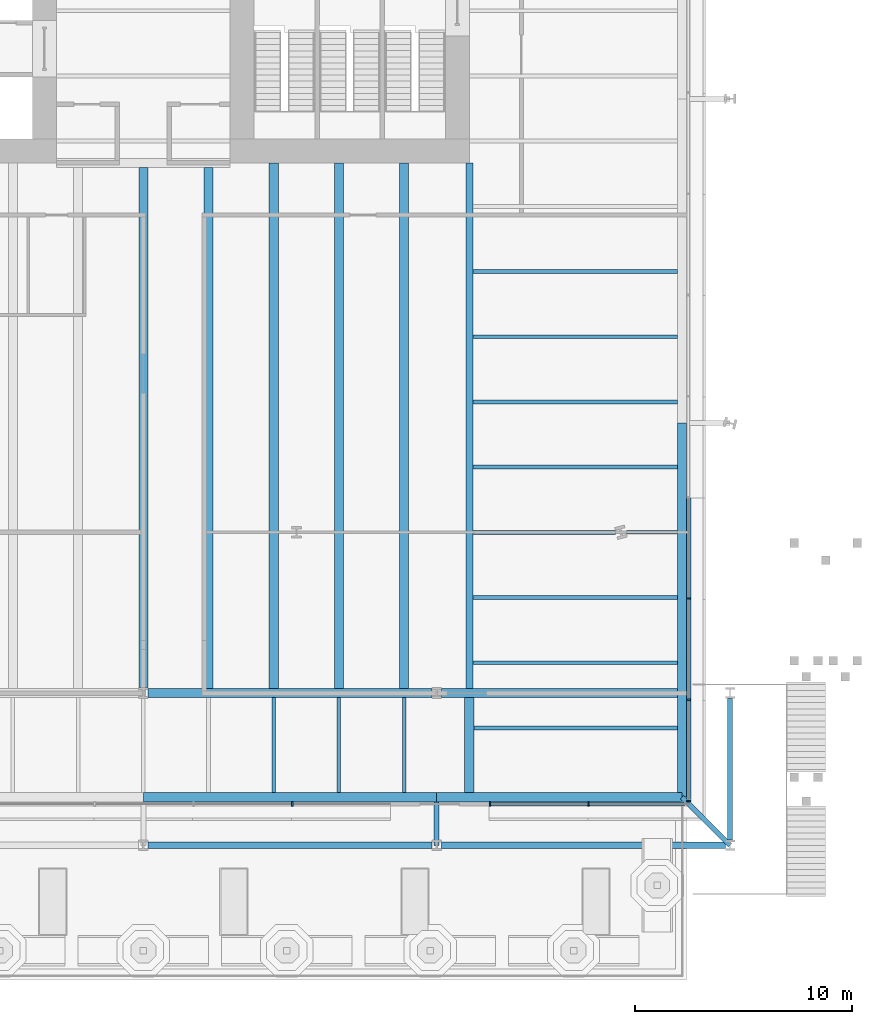
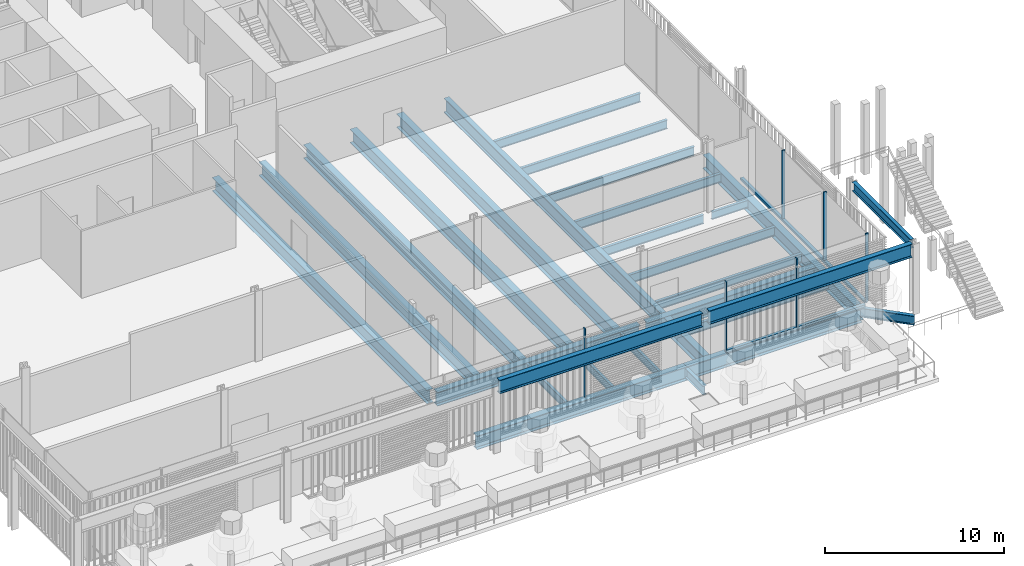
# One storey, part 5 of 25: 29 beams, 8 members, 2 elements without a shape of their own.
"""IFC4 building model written with IfcOpenShell, lengths in metres."""

from ifc_helpers import new_model, si_unit, direction, frame, origin, origin_2d, place, context, subcontext, project, spatial, rectangle, i_section, extrude, material, layer, layer_set, material_profile, profile_set, type_object, element, aggregate, save


model = new_model("IFC4")

# Units and contexts
model_context = context("Model", 3, precision=1e-05, world=origin(), true_north=direction((0.0, 1.0)))
body_context = subcontext(model_context, "Body", "Model", "MODEL_VIEW")
ifc_project = project(units=[si_unit("LENGTHUNIT", "METRE"), si_unit("AREAUNIT", "SQUARE_METRE"), si_unit("VOLUMEUNIT", "CUBIC_METRE"), si_unit("PLANEANGLEUNIT", "RADIAN"), si_unit("MASSUNIT", "GRAM", prefix="KILO")], contexts=[model_context])

# Site, building, storey
site_placement = place(None, origin())
site = spatial("IfcSite", under=ifc_project, at=site_placement, CompositionType="ELEMENT")
building_placement = place(site_placement, origin())
building = spatial("IfcBuilding", under=site, at=building_placement, Name="Millrace Tower", CompositionType="ELEMENT")
storey_placement = place(building_placement, frame((0.0, 0.0, 6.5)))
storey = spatial("IfcBuildingStorey", under=building, at=storey_placement, Name="L02", CompositionType="ELEMENT", Elevation=6.5)

# Curtain wall, members
ifc_material_1 = material(Name="Aluminium and glass", Category="aluminium")
ifc_layer = layer(ifc_material_1, 0.199951171875)
ifc_layer_set = layer_set([ifc_layer], Name="Aluminium and glass")
curtain_wall_type = type_object("IfcCurtainWallType", Name="CW-6 lobby and cascade wing storefront", PredefinedType="NOTDEFINED", material=ifc_layer_set)
placement = place(storey_placement, origin())
curtain_wall_1 = element("IfcCurtainWall", 1, at=placement, inside=storey, type_object=curtain_wall_type, Name="Curtain wall AW2-F01 L02", PredefinedType="NOTDEFINED")
ifc_material_2 = material(Name="Aluminium", Category="aluminium")
ifc_material_profile_1 = material_profile(ifc_material_2, rectangle(XDim=0.074951171875, YDim=0.199951171875, at=origin_2d()))
ifc_profile_set_1 = profile_set([ifc_material_profile_1], Name="Aluminium")
member_type_1 = type_object("IfcMemberType", Name="CW-6 lobby and cascade wing storefront mullion", PredefinedType="MULLION", material=ifc_profile_set_1)
member_1_placement = place(storey_placement, frame((6.855712890625, -39.5, 0.14990234375), z_axis=(0.0, 0.0, 1.0), x_axis=(1.0, 0.0, 0.0)))
member_1 = element("IfcMember", 2, at=member_1_placement, type_object=member_type_1, Name="CW6 mullion AW2-F01.8", PredefinedType="MULLION", context=body_context, shape_type="SweptSolid", body=[
    extrude(rectangle(XDim=0.074951171875, YDim=0.199951171875, at=origin_2d()), origin(), (0.0, 0.0, 1.0), 4.650146484375),
])
member_2_placement = place(storey_placement, frame((15.946533203125, -39.5, 0.14990234375), z_axis=(0.0, 0.0, 1.0), x_axis=(1.0, 0.0, 0.0)))
member_2 = element("IfcMember", 3, at=member_2_placement, type_object=member_type_1, Name="CW6 mullion AW2-F01.10", PredefinedType="MULLION", context=body_context, shape_type="SweptSolid", body=[
    extrude(rectangle(XDim=0.074951171875, YDim=0.199951171875, at=origin_2d()), origin(), (0.0, 0.0, 1.0), 4.650146484375),
])
member_3_placement = place(storey_placement, frame((20.491943359375, -39.5, 0.14990234375), z_axis=(0.0, 0.0, 1.0), x_axis=(1.0, 0.0, 0.0)))
member_3 = element("IfcMember", 4, at=member_3_placement, type_object=member_type_1, Name="CW6 mullion AW2-F01.11", PredefinedType="MULLION", context=body_context, shape_type="SweptSolid", body=[
    extrude(rectangle(XDim=0.074951171875, YDim=0.199951171875, at=origin_2d()), origin(), (0.0, 0.0, 1.0), 4.650146484375),
])

curtain_wall_2 = element("IfcCurtainWall", 5, at=placement, inside=storey, type_object=curtain_wall_type, Name="Curtain wall AW2-F02 L02", PredefinedType="NOTDEFINED")
member_4_placement = place(storey_placement, frame((25.10009765625, -39.362548828125, 0.14990234375), z_axis=(0.0, 0.0, 1.0), x_axis=(0.0, 1.0, 0.0)))
member_4 = element("IfcMember", 6, at=member_4_placement, type_object=member_type_1, Name="CW6 mullion AW2-F02.1", PredefinedType="MULLION", context=body_context, shape_type="SweptSolid", body=[
    extrude(rectangle(XDim=0.074951171875, YDim=0.199951171875, at=origin_2d()), origin(), (0.0, 0.0, 1.0), 4.650146484375),
])
member_5_placement = place(storey_placement, frame((25.10009765625, -34.704833984375, 0.14990234375), z_axis=(0.0, 0.0, 1.0), x_axis=(0.0, 1.0, 0.0)))
member_5 = element("IfcMember", 7, at=member_5_placement, type_object=member_type_1, Name="CW6 mullion AW2-F02.2", PredefinedType="MULLION", context=body_context, shape_type="SweptSolid", body=[
    extrude(rectangle(XDim=0.074951171875, YDim=0.199951171875, at=origin_2d()), origin(), (0.0, 0.0, 1.0), 4.650146484375),
])
member_6_placement = place(storey_placement, frame((25.10009765625, -30.047119140625, 0.14990234375), z_axis=(0.0, 0.0, 1.0), x_axis=(0.0, 1.0, 0.0)))
member_6 = element("IfcMember", 8, at=member_6_placement, type_object=member_type_1, Name="CW6 mullion AW2-F02.3", PredefinedType="MULLION", context=body_context, shape_type="SweptSolid", body=[
    extrude(rectangle(XDim=0.074951171875, YDim=0.199951171875, at=origin_2d()), origin(), (0.0, 0.0, 1.0), 4.650146484375),
])

# Member
ifc_material_3 = material(Name="Aluminium", Category="aluminium")
ifc_material_profile_2 = material_profile(ifc_material_3, rectangle(XDim=0.199951171875, YDim=0.14990234375, at=origin_2d()))
ifc_profile_set_2 = profile_set([ifc_material_profile_2], Name="Aluminium")
member_type_2 = type_object("IfcMemberType", Name="CW-6 lobby and cascade wing storefront transom", PredefinedType="USERDEFINED", material=ifc_profile_set_2)
member_7_placement = place(storey_placement, frame((15.9091796875, -39.5, 0.074951171875), z_axis=(1.0, 0.0, 0.0), x_axis=(0.0, 1.0, 0.0)))
member_7 = element("IfcMember", 9, at=member_7_placement, type_object=member_type_2, Name="CW6 transom AW2-F01.3", ObjectType="TRANSOM", PredefinedType="USERDEFINED", context=body_context, shape_type="SweptSolid", body=[
    extrude(rectangle(XDim=0.199951171875, YDim=0.14990234375, at=origin_2d()), origin(), (0.0, 0.0, 1.0), 8.99072265625),
])

aggregate(curtain_wall_1, [member_1, member_2, member_3, member_7])

member_8_placement = place(storey_placement, frame((25.10009765625, -39.300048828125, 0.074951171875), z_axis=(0.0, 1.0, 0.0), x_axis=(-1.0, 0.0, 0.0)))
member_8 = element("IfcMember", 10, at=member_8_placement, type_object=member_type_2, Name="CW6 transom AW2-F02.1", ObjectType="TRANSOM", PredefinedType="USERDEFINED", context=body_context, shape_type="SweptSolid", body=[
    extrude(rectangle(XDim=0.199951171875, YDim=0.14990234375, at=origin_2d()), origin(), (0.0, 0.0, 1.0), 13.873046875),
])

aggregate(curtain_wall_2, [member_4, member_5, member_6, member_8])

# Beams
ifc_material_4 = material(Name="Steel ASTM A992 Grade 50", Category="steel")
ifc_material_profile_3 = material_profile(ifc_material_4, i_section(OverallWidth=0.1650390625, OverallDepth=0.52587890625, WebThickness=0.0087890625, FlangeThickness=0.011474609375, FilletRadius=0.0126953125, at=origin_2d()))
ifc_profile_set_3 = profile_set([ifc_material_profile_3], Name="Steel ASTM A992 Grade 50")
beam_type_1 = type_object("IfcBeamType", Name="Floor beam W21x44", PredefinedType="JOIST", material=ifc_profile_set_3)
beam_1_placement = place(storey_placement, frame((22.234375, -27.0, -0.48779296875), z_axis=(1.0, 0.0, 0.0), x_axis=(0.0, 1.0, 0.0)))
element("IfcBeam", 11, at=beam_1_placement, inside=storey, type_object=beam_type_1, Name="BM-A-L02-S1-S010", PredefinedType="JOIST", context=body_context, shape_type="SweptSolid", body=[
    extrude(i_section(OverallWidth=0.1650390625, OverallDepth=0.52587890625, WebThickness=0.0087890625, FlangeThickness=0.011474609375, FilletRadius=0.0126953125, at=origin_2d()), origin(), (0.0, 0.0, 1.0), 2.343994140625),
])
for number, where, z_axis, x_axis, name in (
    (12, (6.0, -38.978271484375, -0.48779296875), (0.0, 1.0, 0.0), (-1.0, 0.0, 0.0), "BM-A-L02-S1-S071"),
    (13, (9.0, -38.978271484375, -0.48779296875), (0.0, 1.0, 0.0), (-1.0, 0.0, 0.0), "BM-A-L02-S1-S074"),
    (14, (12.0, -38.978271484375, -0.48779296875), (0.0, 1.0, 0.0), (-1.0, 0.0, 0.0), "BM-A-L02-S1-S077"),
):
    element("IfcBeam", number, at=place(storey_placement, frame(where, z_axis=z_axis, x_axis=x_axis)), inside=storey, type_object=beam_type_1, Name=name, PredefinedType="JOIST", context=body_context, shape_type="SweptSolid", body=[
        extrude(i_section(OverallWidth=0.1650390625, OverallDepth=0.52587890625, WebThickness=0.0087890625, FlangeThickness=0.011474609375, FilletRadius=0.0126953125, at=origin_2d()), origin(), (0.0, 0.0, 1.0), 4.3662109375),
    ])
ifc_material_5 = material(Name="Steel ASTM A992 Grade 50", Category="steel")
ifc_material_profile_4 = material_profile(ifc_material_5, i_section(OverallWidth=0.177978515625, OverallDepth=0.599365234375, WebThickness=0.010009765625, FlangeThickness=0.012939453125, FilletRadius=0.012939453125, at=origin_2d()))
ifc_profile_set_4 = profile_set([ifc_material_profile_4], Name="Steel ASTM A992 Grade 50")
beam_type_2 = type_object("IfcBeamType", Name="Floor beam W24x55", PredefinedType="JOIST", material=ifc_profile_set_4)
beam_2_placement = place(storey_placement, frame((15.1640625, -27.0, -0.524658203125), z_axis=(1.0, 0.0, 0.0), x_axis=(0.0, 1.0, 0.0)))
element("IfcBeam", 15, at=beam_2_placement, inside=storey, type_object=beam_type_2, Name="BM-A-L02-S1-S009", PredefinedType="JOIST", context=body_context, shape_type="SweptSolid", body=[
    extrude(i_section(OverallWidth=0.177978515625, OverallDepth=0.599365234375, WebThickness=0.010009765625, FlangeThickness=0.012939453125, FilletRadius=0.012939453125, at=origin_2d()), origin(), (0.0, 0.0, 1.0), 6.554443359375),
])
ifc_material_6 = material(Name="Steel ASTM A992 Grade 50", Category="steel")
ifc_material_profile_5 = material_profile(ifc_material_6, i_section(OverallWidth=0.1787109375, OverallDepth=0.60205078125, WebThickness=0.010986328125, FlangeThickness=0.014892578125, FilletRadius=0.0126953125, at=origin_2d()))
ifc_profile_set_5 = profile_set([ifc_material_profile_5], Name="Steel ASTM A992 Grade 50")
beam_type_3 = type_object("IfcBeamType", Name="Floor beam W24x62", PredefinedType="JOIST", material=ifc_profile_set_5)
beam_3_placement = place(storey_placement, frame((15.212158203125, -36.0, -0.52587890625), z_axis=(1.0, 0.0, 0.0), x_axis=(0.0, 1.0, 0.0)))
element("IfcBeam", 16, at=beam_3_placement, inside=storey, type_object=beam_type_3, Name="BM-A-L02-S1-S002", PredefinedType="JOIST", context=body_context, shape_type="SweptSolid", body=[
    extrude(i_section(OverallWidth=0.1787109375, OverallDepth=0.60205078125, WebThickness=0.010986328125, FlangeThickness=0.014892578125, FilletRadius=0.0126953125, at=origin_2d()), origin(), (0.0, 0.0, 1.0), 9.3662109375),
])
for number, where, z_axis, x_axis, name in (
    (17, (15.1640625, -33.0, -0.52587890625), (1.0, 0.0, 0.0), (0.0, 1.0, 0.0), "BM-A-L02-S1-S004"),
    (18, (15.1640625, -30.0, -0.52587890625), (1.0, 0.0, 0.0), (0.0, 1.0, 0.0), "BM-A-L02-S1-S006"),
    (19, (15.1640625, -24.0, -0.52587890625), (1.0, 0.0, 0.0), (0.0, 1.0, 0.0), "BM-A-L02-S1-S012"),
    (20, (15.1640625, -21.0, -0.52587890625), (1.0, 0.0, 0.0), (0.0, 1.0, 0.0), "BM-A-L02-S1-S014"),
    (21, (15.1640625, -18.0, -0.52587890625), (1.0, 0.0, 0.0), (0.0, 1.0, 0.0), "BM-A-L02-S1-S016"),
    (22, (15.1640625, -15.0, -0.52587890625), (1.0, 0.0, 0.0), (0.0, 1.0, 0.0), "BM-A-L02-S1-S018"),
):
    element("IfcBeam", number, at=place(storey_placement, frame(where, z_axis=z_axis, x_axis=x_axis)), inside=storey, type_object=beam_type_3, Name=name, PredefinedType="JOIST", context=body_context, shape_type="SweptSolid", body=[
        extrude(i_section(OverallWidth=0.1787109375, OverallDepth=0.60205078125, WebThickness=0.010986328125, FlangeThickness=0.014892578125, FilletRadius=0.0126953125, at=origin_2d()), origin(), (0.0, 0.0, 1.0), 9.414306640625),
    ])
ifc_material_7 = material(Name="Steel ASTM A992 Grade 50", Category="steel")
ifc_material_profile_6 = material_profile(ifc_material_7, i_section(OverallWidth=0.419189453125, OverallDepth=0.927001953125, WebThickness=0.019287109375, FlangeThickness=0.031982421875, FilletRadius=0.024169921875, at=origin_2d()))
ifc_profile_set_6 = profile_set([ifc_material_profile_6], Name="Steel ASTM A992 Grade 50")
beam_type_4 = type_object("IfcBeamType", Name="Floor beam W36x231", PredefinedType="JOIST", material=ifc_profile_set_6)
beam_4_placement = place(storey_placement, frame((0.0, -34.14794921875, -0.6884765625), z_axis=(0.0, 1.0, 0.0), x_axis=(-1.0, 0.0, 0.0)))
element("IfcBeam", 23, at=beam_4_placement, inside=storey, type_object=beam_type_4, Name="BM-A-L02-S1-S066", PredefinedType="JOIST", context=body_context, shape_type="SweptSolid", body=[
    extrude(i_section(OverallWidth=0.419189453125, OverallDepth=0.927001953125, WebThickness=0.019287109375, FlangeThickness=0.031982421875, FilletRadius=0.024169921875, at=origin_2d()), origin(), (0.0, 0.0, 1.0), 23.935791015625),
])
beam_5_placement = place(storey_placement, frame((3.0, -34.18798828125, -0.6884765625), z_axis=(0.0, 1.0, 0.0), x_axis=(-1.0, 0.0, 0.0)))
element("IfcBeam", 24, at=beam_5_placement, inside=storey, type_object=beam_type_4, Name="BM-A-L02-S1-S069", PredefinedType="JOIST", context=body_context, shape_type="SweptSolid", body=[
    extrude(i_section(OverallWidth=0.419189453125, OverallDepth=0.927001953125, WebThickness=0.019287109375, FlangeThickness=0.031982421875, FilletRadius=0.024169921875, at=origin_2d()), origin(), (0.0, 0.0, 1.0), 23.975830078125),
])
for number, where, z_axis, x_axis, name in (
    (25, (6.0, -34.18798828125, -0.6884765625), (0.0, 1.0, 0.0), (-1.0, 0.0, 0.0), "BM-A-L02-S1-S072"),
    (26, (9.0, -34.18798828125, -0.6884765625), (0.0, 1.0, 0.0), (-1.0, 0.0, 0.0), "BM-A-L02-S1-S075"),
    (27, (12.0, -34.18798828125, -0.6884765625), (0.0, 1.0, 0.0), (-1.0, 0.0, 0.0), "BM-A-L02-S1-S078"),
):
    element("IfcBeam", number, at=place(storey_placement, frame(where, z_axis=z_axis, x_axis=x_axis)), inside=storey, type_object=beam_type_4, Name=name, PredefinedType="JOIST", context=body_context, shape_type="SweptSolid", body=[
        extrude(i_section(OverallWidth=0.419189453125, OverallDepth=0.927001953125, WebThickness=0.019287109375, FlangeThickness=0.031982421875, FilletRadius=0.024169921875, at=origin_2d()), origin(), (0.0, 0.0, 1.0), 24.18798828125),
    ])
ifc_material_8 = material(Name="Steel ASTM A992 Grade 50", Category="steel")
ifc_material_profile_7 = material_profile(ifc_material_8, i_section(OverallWidth=0.322509765625, OverallDepth=0.9931640625, WebThickness=0.0361328125, FlangeThickness=0.06494140625, FilletRadius=0.01904296875, at=origin_2d()))
ifc_profile_set_7 = profile_set([ifc_material_profile_7], Name="Steel ASTM A992 Grade 50")
beam_type_5 = type_object("IfcBeamType", Name="Girder long span W36x387", PredefinedType="BEAM", material=ifc_profile_set_7)
beam_6_placement = place(storey_placement, frame((15.0, -34.18798828125, -0.7216796875), z_axis=(0.0, 1.0, 0.0), x_axis=(-1.0, 0.0, 0.0)))
element("IfcBeam", 28, at=beam_6_placement, inside=storey, type_object=beam_type_5, Name="BM-A-L02-S1-G084", PredefinedType="BEAM", context=body_context, shape_type="SweptSolid", body=[
    extrude(i_section(OverallWidth=0.322509765625, OverallDepth=0.9931640625, WebThickness=0.0361328125, FlangeThickness=0.06494140625, FilletRadius=0.01904296875, at=origin_2d()), origin(), (0.0, 0.0, 1.0), 24.18798828125),
])
ifc_material_9 = material(Name="Steel ASTM A992 Grade 50", Category="steel")
ifc_material_profile_8 = material_profile(ifc_material_9, i_section(OverallWidth=0.424072265625, OverallDepth=0.947509765625, WebThickness=0.02392578125, FlangeThickness=0.042724609375, FilletRadius=0.024169921875, at=origin_2d()))
ifc_profile_set_8 = profile_set([ifc_material_profile_8], Name="Steel ASTM A992 Grade 50")
beam_type_6 = type_object("IfcBeamType", Name="Girder medium span W36x302", PredefinedType="BEAM", material=ifc_profile_set_8)
beam_7_placement = place(storey_placement, frame((0.216064453125, -34.39990234375, -0.69873046875), z_axis=(1.0, 0.0, 0.0), x_axis=(0.0, 1.0, 0.0)))
element("IfcBeam", 29, at=beam_7_placement, inside=storey, type_object=beam_type_6, Name="BM-A-L02-S1-G089", PredefinedType="BEAM", context=body_context, shape_type="SweptSolid", body=[
    extrude(i_section(OverallWidth=0.424072265625, OverallDepth=0.947509765625, WebThickness=0.02392578125, FlangeThickness=0.042724609375, FilletRadius=0.024169921875, at=origin_2d()), origin(), (0.0, 0.0, 1.0), 13.06787109375),
])
ifc_material_10 = material(Name="Steel ASTM A992 Grade 50", Category="steel")
ifc_material_profile_9 = material_profile(ifc_material_10, i_section(OverallWidth=0.424072265625, OverallDepth=0.947509765625, WebThickness=0.02392578125, FlangeThickness=0.042724609375, FilletRadius=0.024169921875, at=origin_2d()))
ifc_profile_set_9 = profile_set([ifc_material_profile_9], Name="Steel ASTM A992 Grade 50")
beam_type_7 = type_object("IfcBeamType", Name="Girder short span W36x302", PredefinedType="BEAM", material=ifc_profile_set_9)
beam_8_placement = place(storey_placement, frame((15.0, -38.978271484375, -0.69873046875), z_axis=(0.0, 1.0, 0.0), x_axis=(-1.0, 0.0, 0.0)))
element("IfcBeam", 30, at=beam_8_placement, inside=storey, type_object=beam_type_7, Name="BM-A-L02-S1-G083", PredefinedType="BEAM", context=body_context, shape_type="SweptSolid", body=[
    extrude(i_section(OverallWidth=0.424072265625, OverallDepth=0.947509765625, WebThickness=0.02392578125, FlangeThickness=0.042724609375, FilletRadius=0.024169921875, at=origin_2d()), origin(), (0.0, 0.0, 1.0), 4.3662109375),
])
beam_9_placement = place(storey_placement, frame((13.716064453125, -34.39990234375, -0.69873046875), z_axis=(1.0, 0.0, 0.0), x_axis=(0.0, 1.0, 0.0)))
element("IfcBeam", 31, at=beam_9_placement, inside=storey, type_object=beam_type_7, Name="BM-A-L02-S1-G090", PredefinedType="BEAM", context=body_context, shape_type="SweptSolid", body=[
    extrude(i_section(OverallWidth=0.424072265625, OverallDepth=0.947509765625, WebThickness=0.02392578125, FlangeThickness=0.042724609375, FilletRadius=0.024169921875, at=origin_2d()), origin(), (0.0, 0.0, 1.0), 10.8623046875),
])
ifc_material_11 = material(Name="Steel ASTM A992 Grade 50", Category="steel")
ifc_material_profile_10 = material_profile(ifc_material_11, i_section(OverallWidth=0.23046875, OverallDepth=0.6171875, WebThickness=0.01318359375, FlangeThickness=0.022216796875, FilletRadius=0.012939453125, at=origin_2d()))
ifc_profile_set_10 = profile_set([ifc_material_profile_10], Name="Steel ASTM A992 Grade 50")
beam_type_8 = type_object("IfcBeamType", Name="Link beam W24x94", PredefinedType="BEAM", material=ifc_profile_set_10)
beam_10_placement = place(storey_placement, frame((24.7890625, -39.189208984375, -0.53369140625), z_axis=(0.707145823054, -0.707067737163, 0.0), x_axis=(0.707067737163, 0.707145823054, 0.0)))
element("IfcBeam", 32, at=beam_10_placement, inside=storey, type_object=beam_type_8, Name="LNK-A-L02-S1-14", PredefinedType="BEAM", context=body_context, shape_type="SweptSolid", body=[
    extrude(i_section(OverallWidth=0.23046875, OverallDepth=0.6171875, WebThickness=0.01318359375, FlangeThickness=0.022216796875, FilletRadius=0.012939453125, at=origin_2d()), origin(), (0.0, 0.0, 1.0), 3.12646484375),
])
beam_11_placement = place(storey_placement, frame((13.5, -39.39990234375, -0.5986328125), z_axis=(0.0, -1.0, 0.0), x_axis=(1.0, 0.0, 0.0)))
element("IfcBeam", 33, at=beam_11_placement, inside=storey, type_object=beam_type_8, Name="LNK-A-L02-S1-15", PredefinedType="BEAM", context=body_context, shape_type="SweptSolid", body=[
    extrude(i_section(OverallWidth=0.23046875, OverallDepth=0.6171875, WebThickness=0.01318359375, FlangeThickness=0.022216796875, FilletRadius=0.012939453125, at=origin_2d()), origin(), (0.0, 0.0, 1.0), 2.0),
])
ifc_material_12 = material(Name="Steel ASTM A992 Grade 50", Category="steel")
ifc_material_profile_11 = material_profile(ifc_material_12, i_section(OverallWidth=0.421630859375, OverallDepth=0.937255859375, WebThickness=0.021240234375, FlangeThickness=0.03662109375, FilletRadius=0.024169921875, at=origin_2d()))
ifc_profile_set_11 = profile_set([ifc_material_profile_11], Name="Steel ASTM A992 Grade 50")
beam_type_9 = type_object("IfcBeamType", Name="Ring beam medium span W36x262", PredefinedType="SPANDREL", material=ifc_profile_set_11)
beam_12_placement = place(storey_placement, frame((24.7890625, -21.978515625, -0.693603515625), z_axis=(0.0, -1.0, 0.0), x_axis=(1.0, 0.0, 0.0)))
element("IfcBeam", 34, at=beam_12_placement, inside=storey, type_object=beam_type_9, Name="RNG-A-L02-S1-13", PredefinedType="SPANDREL", context=body_context, shape_type="SweptSolid", body=[
    extrude(i_section(OverallWidth=0.421630859375, OverallDepth=0.937255859375, WebThickness=0.021240234375, FlangeThickness=0.03662109375, FilletRadius=0.024169921875, at=origin_2d()), origin(), (0.0, 0.0, 1.0), 17.210693359375),
])
beam_13_placement = place(storey_placement, frame((13.5, -39.189208984375, -0.693603515625), z_axis=(-1.0, 0.0, 0.0), x_axis=(0.0, -1.0, 0.0)))
element("IfcBeam", 35, at=beam_13_placement, inside=storey, type_object=beam_type_9, Name="RNG-A-L02-S1-15", PredefinedType="SPANDREL", context=body_context, shape_type="SweptSolid", body=[
    extrude(i_section(OverallWidth=0.421630859375, OverallDepth=0.937255859375, WebThickness=0.021240234375, FlangeThickness=0.03662109375, FilletRadius=0.024169921875, at=origin_2d()), origin(), (0.0, 0.0, 1.0), 13.5),
])
ifc_material_13 = material(Name="Steel ASTM A992 Grade 50", Category="steel")
ifc_material_profile_12 = material_profile(ifc_material_13, i_section(OverallWidth=0.421630859375, OverallDepth=0.937255859375, WebThickness=0.021240234375, FlangeThickness=0.03662109375, FilletRadius=0.024169921875, at=origin_2d()))
ifc_profile_set_12 = profile_set([ifc_material_profile_12], Name="Steel ASTM A992 Grade 50")
beam_type_10 = type_object("IfcBeamType", Name="Ring beam short span W36x262", PredefinedType="SPANDREL", material=ifc_profile_set_12)
beam_14_placement = place(storey_placement, frame((24.7890625, -39.189208984375, -0.693603515625), z_axis=(-1.0, 0.0, 0.0), x_axis=(0.0, -1.0, 0.0)))
element("IfcBeam", 36, at=beam_14_placement, inside=storey, type_object=beam_type_10, Name="RNG-A-L02-S1-14", PredefinedType="SPANDREL", context=body_context, shape_type="SweptSolid", body=[
    extrude(i_section(OverallWidth=0.421630859375, OverallDepth=0.937255859375, WebThickness=0.021240234375, FlangeThickness=0.03662109375, FilletRadius=0.024169921875, at=origin_2d()), origin(), (0.0, 0.0, 1.0), 11.2890625),
])
ifc_material_14 = material(Name="Steel ASTM A992 Grade 50", Category="steel")
ifc_material_profile_13 = material_profile(ifc_material_14, i_section(OverallWidth=0.307373046875, OverallDepth=0.927001953125, WebThickness=0.01953125, FlangeThickness=0.031982421875, FilletRadius=0.01904296875, at=origin_2d()))
ifc_profile_set_13 = profile_set([ifc_material_profile_13], Name="Steel ASTM A992 Grade 50")
beam_type_11 = type_object("IfcBeamType", Name="Terrace edge beam W36x194", PredefinedType="BEAM", material=ifc_profile_set_13)
for number, where, z_axis, x_axis, name in (
    (37, (0.2158203125, -41.39990234375, 4.33642578125), (1.0, 0.0, 0.0), (0.0, 1.0, 0.0), "BM-WING-L02-EDGE03"),
    (38, (13.7158203125, -41.39990234375, 4.33642578125), (1.0, 0.0, 0.0), (0.0, 1.0, 0.0), "BM-WING-L02-EDGE04"),
):
    element("IfcBeam", number, at=place(storey_placement, frame(where, z_axis=z_axis, x_axis=x_axis)), inside=storey, type_object=beam_type_11, Name=name, PredefinedType="BEAM", context=body_context, shape_type="SweptSolid", body=[
        extrude(i_section(OverallWidth=0.307373046875, OverallDepth=0.927001953125, WebThickness=0.01953125, FlangeThickness=0.031982421875, FilletRadius=0.01904296875, at=origin_2d()), origin(), (0.0, 0.0, 1.0), 13.068359375),
    ])
ifc_material_15 = material(Name="Steel ASTM A992 Grade 50", Category="steel")
ifc_material_profile_14 = material_profile(ifc_material_15, i_section(OverallWidth=0.23046875, OverallDepth=0.6171875, WebThickness=0.01318359375, FlangeThickness=0.022216796875, FilletRadius=0.012939453125, at=origin_2d()))
ifc_profile_set_14 = profile_set([ifc_material_profile_14], Name="Steel ASTM A992 Grade 50")
beam_type_12 = type_object("IfcBeamType", Name="Terrace tie beam W24x94", PredefinedType="BEAM", material=ifc_profile_set_14)
beam_15_placement = place(storey_placement, frame((27.0, -41.151123046875, 4.491455078125), z_axis=(0.0, 1.0, 0.0), x_axis=(-1.0, 0.0, 0.0)))
element("IfcBeam", 39, at=beam_15_placement, inside=storey, type_object=beam_type_12, Name="BM-WING-L02-TIEE", PredefinedType="BEAM", context=body_context, shape_type="SweptSolid", body=[
    extrude(i_section(OverallWidth=0.23046875, OverallDepth=0.6171875, WebThickness=0.01318359375, FlangeThickness=0.022216796875, FilletRadius=0.012939453125, at=origin_2d()), origin(), (0.0, 0.0, 1.0), 6.502197265625),
])

save(model, "model.ifc")
